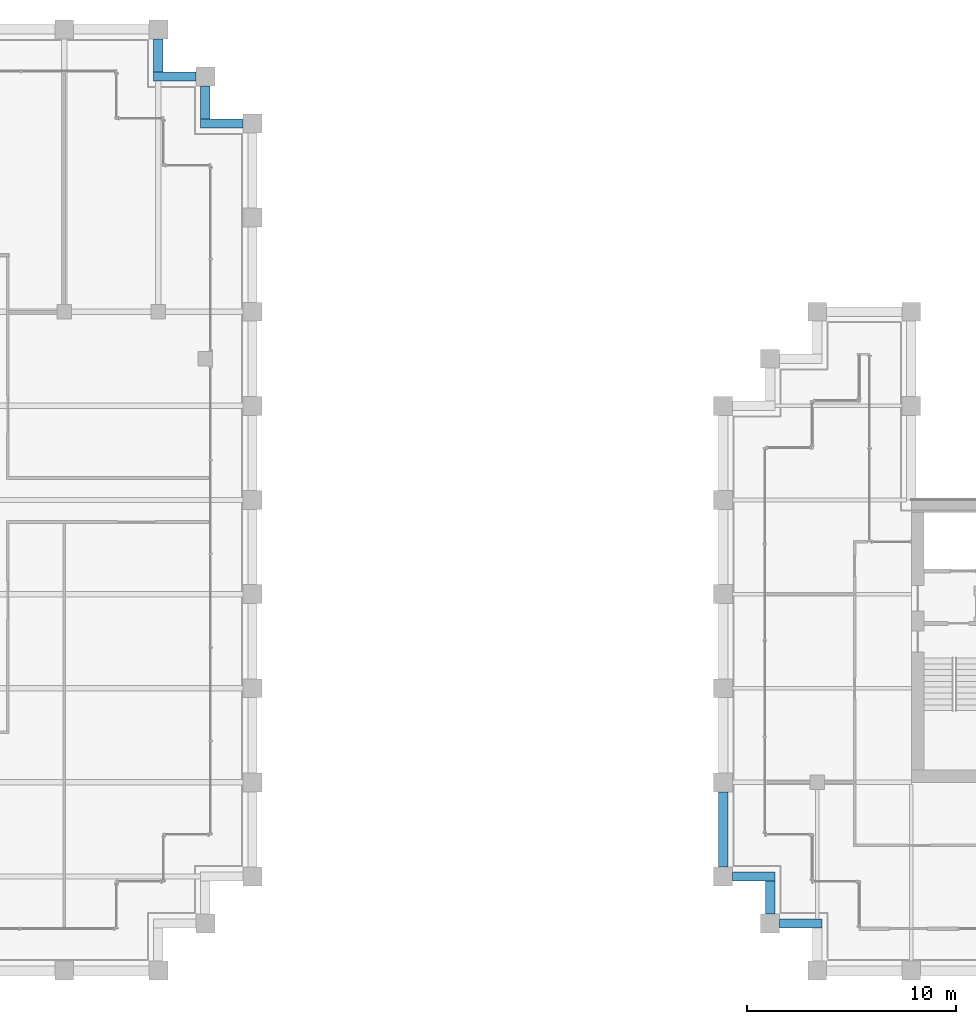
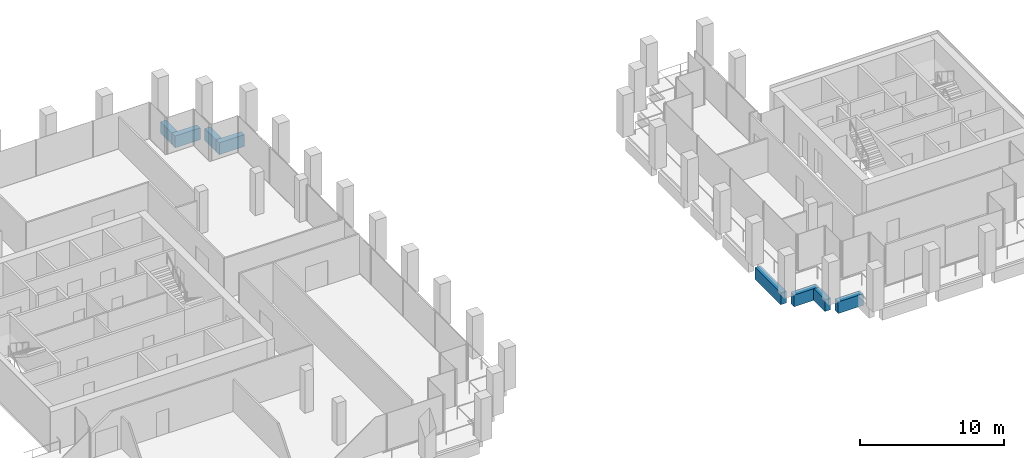
# One storey, part 27 of 40: 8 beams.
"""IFC4 building model written with IfcOpenShell, lengths in metres."""

from ifc_helpers import new_model, si_unit, direction, frame, origin, origin_2d, place, context, subcontext, project, spatial, rectangle, extrude, material, material_profile, profile_set, type_object, element, save


model = new_model("IFC4")

# Units and contexts
model_context = context("Model", 3, precision=1e-05, world=origin(), true_north=direction((0.0, 1.0)))
body_context = subcontext(model_context, "Body", "Model", "MODEL_VIEW")
ifc_project = project(units=[si_unit("LENGTHUNIT", "METRE"), si_unit("AREAUNIT", "SQUARE_METRE"), si_unit("VOLUMEUNIT", "CUBIC_METRE"), si_unit("PLANEANGLEUNIT", "RADIAN"), si_unit("MASSUNIT", "GRAM", prefix="KILO")], contexts=[model_context])

# Site, building, storey
site_placement = place(None, origin())
site = spatial("IfcSite", under=ifc_project, at=site_placement, CompositionType="ELEMENT")
building_placement = place(site_placement, origin())
building = spatial("IfcBuilding", under=site, at=building_placement, Name="Altepetl Exchange Towers", CompositionType="ELEMENT")
storey_placement = place(building_placement, frame((0.0, 0.0, 158.199951171875)))
storey = spatial("IfcBuildingStorey", under=building, at=storey_placement, Name="L39", CompositionType="ELEMENT", Elevation=158.199951171875)

# Beams
ifc_material_1 = material(Name="Concrete C50/60 precast with cantera rosa facing", Category="concrete")
ifc_material_profile_1 = material_profile(ifc_material_1, rectangle(XDim=0.449951171875, YDim=1.0, at=origin_2d()), Name="450 x 1000")
ifc_profile_set_1 = profile_set([ifc_material_profile_1], Name="Concrete C50/60 precast with cantera rosa facing")
beam_type_1 = type_object("IfcBeamType", Name="Spandrel beam 450x1000 cantera rosa", PredefinedType="SPANDREL", material=ifc_profile_set_1)
beam_1_placement = place(storey_placement, frame((71.550048828125, 67.5, -0.64990234375), z_axis=(-1.0, 0.0, 0.0), x_axis=(0.0, -1.0, 0.0)))
element("IfcBeam", 1, at=beam_1_placement, inside=storey, type_object=beam_type_1, Name="sp:A:L39:020", PredefinedType="SPANDREL", context=body_context, shape_type="SweptSolid", body=[
    extrude(rectangle(XDim=0.449951171875, YDim=1.0, at=origin_2d()), origin(), (0.0, 0.0, 1.0), 2.025146484375),
])
beam_2_placement = place(storey_placement, frame((69.75, 67.72509765625, -0.64990234375), z_axis=(0.0, 1.0, 0.0), x_axis=(-1.0, 0.0, 0.0)))
element("IfcBeam", 2, at=beam_2_placement, inside=storey, type_object=beam_type_1, Name="sp:A:L39:021", PredefinedType="SPANDREL", context=body_context, shape_type="SweptSolid", body=[
    extrude(rectangle(XDim=0.449951171875, YDim=1.0, at=origin_2d()), origin(), (0.0, 0.0, 1.0), 1.574951171875),
])
beam_3_placement = place(storey_placement, frame((69.300048828125, 69.75, -0.64990234375), z_axis=(-1.0, 0.0, 0.0), x_axis=(0.0, -1.0, 0.0)))
element("IfcBeam", 3, at=beam_3_placement, inside=storey, type_object=beam_type_1, Name="sp:A:L39:022", PredefinedType="SPANDREL", context=body_context, shape_type="SweptSolid", body=[
    extrude(rectangle(XDim=0.449951171875, YDim=1.0, at=origin_2d()), origin(), (0.0, 0.0, 1.0), 2.025146484375),
])
beam_4_placement = place(storey_placement, frame((67.5, 69.97509765625, -0.64990234375), z_axis=(0.0, 1.0, 0.0), x_axis=(-1.0, 0.0, 0.0)))
element("IfcBeam", 4, at=beam_4_placement, inside=storey, type_object=beam_type_1, Name="sp:A:L39:023", PredefinedType="SPANDREL", context=body_context, shape_type="SweptSolid", body=[
    extrude(rectangle(XDim=0.449951171875, YDim=1.0, at=origin_2d()), origin(), (0.0, 0.0, 1.0), 1.574951171875),
])
ifc_material_2 = material(Name="Concrete C50/60 precast with tezontle facing", Category="concrete")
ifc_material_profile_2 = material_profile(ifc_material_2, rectangle(XDim=0.449951171875, YDim=1.0, at=origin_2d()), Name="450 x 1000")
ifc_profile_set_2 = profile_set([ifc_material_profile_2], Name="Concrete C50/60 precast with tezontle facing")
beam_type_2 = type_object("IfcBeamType", Name="Spandrel beam 450x1000 tezontle", PredefinedType="SPANDREL", material=ifc_profile_set_2)
beam_5_placement = place(storey_placement, frame((94.5, 35.550048828125, -0.64990234375), z_axis=(0.0, -1.0, 0.0), x_axis=(1.0, 0.0, 0.0)))
element("IfcBeam", 5, at=beam_5_placement, inside=storey, type_object=beam_type_2, Name="sp:B:L39:019", PredefinedType="SPANDREL", context=body_context, shape_type="SweptSolid", body=[
    extrude(rectangle(XDim=0.449951171875, YDim=1.0, at=origin_2d()), origin(), (0.0, 0.0, 1.0), 3.60009765625),
])
beam_6_placement = place(storey_placement, frame((94.949951171875, 31.5, -0.64990234375), z_axis=(1.0, 0.0, 0.0), x_axis=(0.0, 1.0, 0.0)))
element("IfcBeam", 6, at=beam_6_placement, inside=storey, type_object=beam_type_2, Name="sp:B:L39:020", PredefinedType="SPANDREL", context=body_context, shape_type="SweptSolid", body=[
    extrude(rectangle(XDim=0.449951171875, YDim=1.0, at=origin_2d()), origin(), (0.0, 0.0, 1.0), 2.025146484375),
])
beam_7_placement = place(storey_placement, frame((96.75, 31.27490234375, -0.64990234375), z_axis=(0.0, -1.0, 0.0), x_axis=(1.0, 0.0, 0.0)))
element("IfcBeam", 7, at=beam_7_placement, inside=storey, type_object=beam_type_2, Name="sp:B:L39:021", PredefinedType="SPANDREL", context=body_context, shape_type="SweptSolid", body=[
    extrude(rectangle(XDim=0.449951171875, YDim=1.0, at=origin_2d()), origin(), (0.0, 0.0, 1.0), 1.574951171875),
])
beam_8_placement = place(storey_placement, frame((97.199951171875, 29.25, -0.64990234375), z_axis=(1.0, 0.0, 0.0), x_axis=(0.0, 1.0, 0.0)))
element("IfcBeam", 8, at=beam_8_placement, inside=storey, type_object=beam_type_2, Name="sp:B:L39:022", PredefinedType="SPANDREL", context=body_context, shape_type="SweptSolid", body=[
    extrude(rectangle(XDim=0.449951171875, YDim=1.0, at=origin_2d()), origin(), (0.0, 0.0, 1.0), 2.025146484375),
])

save(model, "model.ifc")
